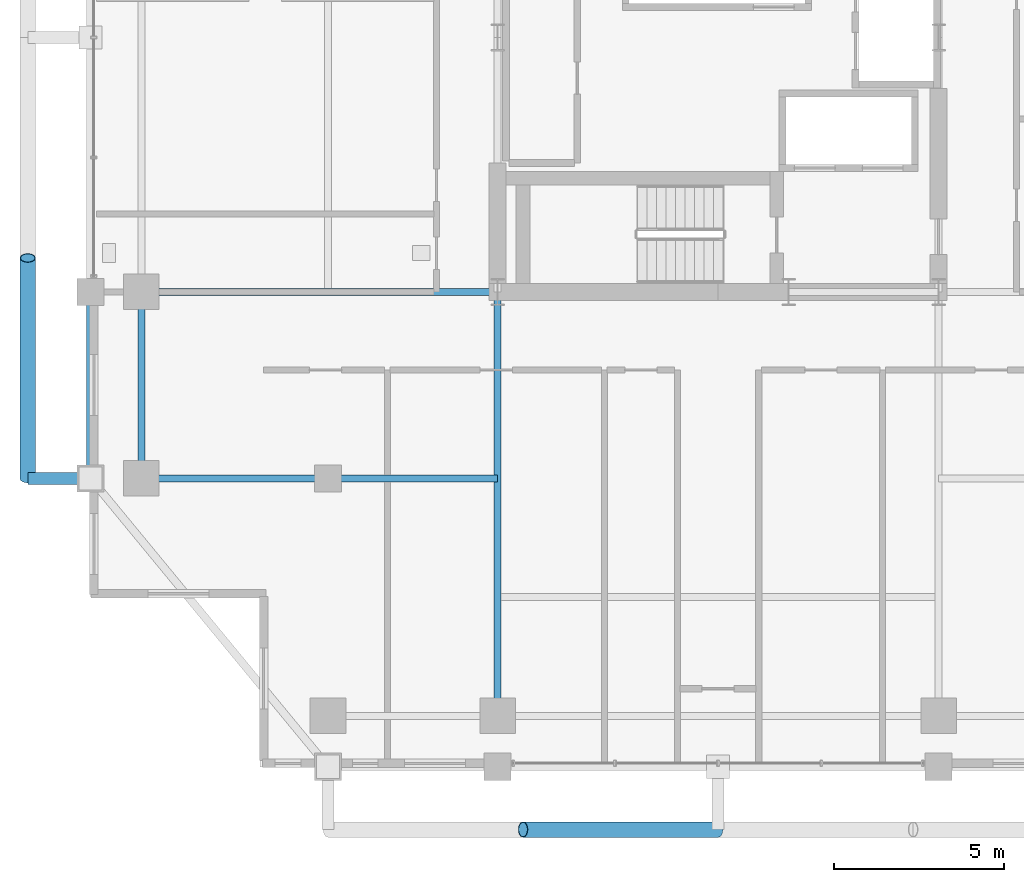
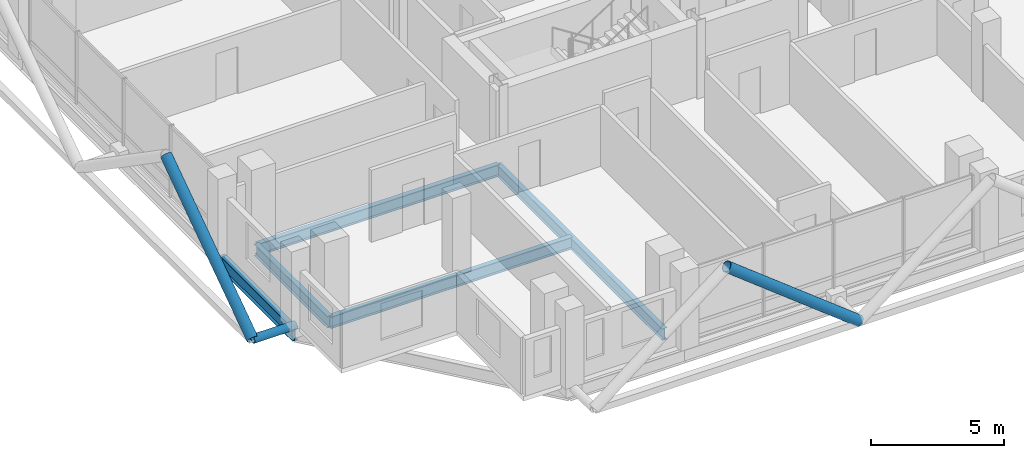
# One storey, part 3 of 25: 6 beams, 3 members.
"""IFC4 building model written with IfcOpenShell, lengths in metres."""

from ifc_helpers import new_model, si_unit, direction, frame, origin, origin_2d, place, context, subcontext, project, spatial, hollow_circle, i_section, extrude, material, material_profile, profile_set, type_object, element, save


model = new_model("IFC4")

# Units and contexts
model_context = context("Model", 3, precision=1e-05, world=origin(), true_north=direction((0.0, 1.0)))
body_context = subcontext(model_context, "Body", "Model", "MODEL_VIEW")
ifc_project = project(units=[si_unit("LENGTHUNIT", "METRE"), si_unit("AREAUNIT", "SQUARE_METRE"), si_unit("VOLUMEUNIT", "CUBIC_METRE"), si_unit("PLANEANGLEUNIT", "RADIAN"), si_unit("MASSUNIT", "GRAM", prefix="KILO")], contexts=[model_context])

# Site, building, storey
site_placement = place(None, origin())
site = spatial("IfcSite", under=ifc_project, at=site_placement, CompositionType="ELEMENT")
building_placement = place(site_placement, origin())
building = spatial("IfcBuilding", under=site, at=building_placement, Name="Barlavira Tower and Art Museum", CompositionType="ELEMENT")
storey_placement = place(building_placement, frame((0.0, 0.0, 208.800048828125)))
storey = spatial("IfcBuildingStorey", under=building, at=storey_placement, Name="L54", CompositionType="ELEMENT", Elevation=208.800048828125)

# Members
ifc_material = material(Name="Steel S355", Category="steel")
ifc_material_profile_1 = material_profile(ifc_material, hollow_circle(Radius=0.228515625, WallThickness=0.02001953125, at=origin_2d()), Name="CHS 457.0x20.0")
ifc_profile_set_1 = profile_set([ifc_material_profile_1], Name="Steel S355")
member_type_1 = type_object("IfcMemberType", Name="Pale-Metal Exoskeleton Diagrid Tube CHS 457x20 Steel S355", PredefinedType="BRACE", material=ifc_profile_set_1)
member_1_placement = place(storey_placement, frame((0.0, -23.35009765625, -0.1201171875), z_axis=(-0.787505001008, 0.0, 0.616308261658), x_axis=(0.0, -1.0, 0.0)))
element("IfcMember", 1, at=member_1_placement, inside=storey, type_object=member_type_1, Name="L54 Exoskeleton Diagrid Tube S", PredefinedType="BRACE", context=body_context, shape_type="SweptSolid", body=[
    extrude(hollow_circle(Radius=0.228515625, WallThickness=0.02001953125, at=origin_2d()), origin(), (0.0, 0.0, 1.0), 7.301513671875),
])
member_2_placement = place(storey_placement, frame((-20.35009765625, -13.0, -0.1201171875), z_axis=(0.0, 0.822192191644, 0.56920997883), x_axis=(-1.0, 0.0, 0.0)))
element("IfcMember", 2, at=member_2_placement, inside=storey, type_object=member_type_1, Name="L54 Exoskeleton Diagrid Tube W", PredefinedType="BRACE", context=body_context, shape_type="SweptSolid", body=[
    extrude(hollow_circle(Radius=0.228515625, WallThickness=0.02001953125, at=origin_2d()), origin(), (0.0, 0.0, 1.0), 7.90576171875),
])
ifc_material_profile_2 = material_profile(ifc_material, hollow_circle(Radius=0.177734375, WallThickness=0.01611328125, at=origin_2d()), Name="CHS 355.6x16.0")
ifc_profile_set_2 = profile_set([ifc_material_profile_2], Name="Steel S355")
member_type_2 = type_object("IfcMemberType", Name="Pale-Metal Exoskeleton Tie Strut CHS 356x16 Steel S355", PredefinedType="STRUT", material=ifc_profile_set_2)
member_3_placement = place(storey_placement, frame((-20.35009765625, -13.0, -0.1201171875), z_axis=(1.0, 0.0, 0.0), x_axis=(0.0, 1.0, 0.0)))
element("IfcMember", 3, at=member_3_placement, inside=storey, type_object=member_type_2, Name="L54 Exoskeleton Tie Strut W1", PredefinedType="STRUT", context=body_context, shape_type="SweptSolid", body=[
    extrude(hollow_circle(Radius=0.177734375, WallThickness=0.01611328125, at=origin_2d()), origin(), (0.0, 0.0, 1.0), 1.85009765625),
])

# Beams
ifc_material_profile_3 = material_profile(ifc_material, i_section(OverallWidth=0.22998046875, OverallDepth=0.616943359375, WebThickness=0.01318359375, FlangeThickness=0.022216796875, at=origin_2d()), Name="W610x140.0")
ifc_profile_set_3 = profile_set([ifc_material_profile_3], Name="Steel S355")
beam_type_1 = type_object("IfcBeamType", Name="Upper Shaft Spandrel Edge Beam W610x140 Steel S355", PredefinedType="SPANDREL", material=ifc_profile_set_3)
beam_1_placement = place(storey_placement, frame((-18.5, -13.0, -0.528564453125), z_axis=(0.0, 1.0, 0.0), x_axis=(-1.0, 0.0, 0.0)))
element("IfcBeam", 4, at=beam_1_placement, inside=storey, type_object=beam_type_1, Name="L54 Spandrel 15", PredefinedType="SPANDREL", context=body_context, shape_type="SweptSolid", body=[
    extrude(i_section(OverallWidth=0.22998046875, OverallDepth=0.616943359375, WebThickness=0.01318359375, FlangeThickness=0.022216796875, at=origin_2d()), origin(), (0.0, 0.0, 1.0), 5.5),
])
ifc_material_profile_4 = material_profile(ifc_material, i_section(OverallWidth=0.2109375, OverallDepth=0.5390625, WebThickness=0.01171875, FlangeThickness=0.018798828125, at=origin_2d()), Name="W530x109.0")
ifc_profile_set_4 = profile_set([ifc_material_profile_4], Name="Steel S355")
beam_type_2 = type_object("IfcBeamType", Name="Zone 3-4 Primary Floor Girder W530x109 Steel S355", PredefinedType="BEAM", material=ifc_profile_set_4)
beam_2_placement = place(storey_placement, frame((-17.0, -13.0, -0.489501953125), z_axis=(0.0, 1.0, 0.0), x_axis=(-1.0, 0.0, 0.0)))
element("IfcBeam", 5, at=beam_2_placement, inside=storey, type_object=beam_type_2, Name="L54 Girder M-W1", PredefinedType="BEAM", context=body_context, shape_type="SweptSolid", body=[
    extrude(i_section(OverallWidth=0.2109375, OverallDepth=0.5390625, WebThickness=0.01171875, FlangeThickness=0.018798828125, at=origin_2d()), origin(), (0.0, 0.0, 1.0), 5.5),
])
beam_3_placement = place(storey_placement, frame((-6.5, -20.0, -0.489501953125), z_axis=(0.0, 1.0, 0.0), x_axis=(-1.0, 0.0, 0.0)))
element("IfcBeam", 6, at=beam_3_placement, inside=storey, type_object=beam_type_2, Name="L54 Girder R-S1", PredefinedType="BEAM", context=body_context, shape_type="SweptSolid", body=[
    extrude(i_section(OverallWidth=0.2109375, OverallDepth=0.5390625, WebThickness=0.01171875, FlangeThickness=0.018798828125, at=origin_2d()), origin(), (0.0, 0.0, 1.0), 12.5),
])
beam_4_placement = place(storey_placement, frame((-17.0, -7.5, -0.489501953125), z_axis=(1.0, 0.0, 0.0), x_axis=(0.0, 1.0, 0.0)))
element("IfcBeam", 7, at=beam_4_placement, inside=storey, type_object=beam_type_2, Name="L54 Girder R-W1", PredefinedType="BEAM", context=body_context, shape_type="SweptSolid", body=[
    extrude(i_section(OverallWidth=0.2109375, OverallDepth=0.5390625, WebThickness=0.01171875, FlangeThickness=0.018798828125, at=origin_2d()), origin(), (0.0, 0.0, 1.0), 10.5),
])
beam_5_placement = place(storey_placement, frame((-17.0, -13.0, -0.489501953125), z_axis=(1.0, 0.0, 0.0), x_axis=(0.0, 1.0, 0.0)))
element("IfcBeam", 8, at=beam_5_placement, inside=storey, type_object=beam_type_2, Name="L54 Girder I-S1", PredefinedType="BEAM", context=body_context, shape_type="SweptSolid", body=[
    extrude(i_section(OverallWidth=0.2109375, OverallDepth=0.5390625, WebThickness=0.01171875, FlangeThickness=0.018798828125, at=origin_2d()), origin(), (0.0, 0.0, 1.0), 5.5),
])
beam_6_placement = place(storey_placement, frame((-11.5, -13.0, -0.489501953125), z_axis=(1.0, 0.0, 0.0), x_axis=(0.0, 1.0, 0.0)))
element("IfcBeam", 9, at=beam_6_placement, inside=storey, type_object=beam_type_2, Name="L54 Girder I-S2", PredefinedType="BEAM", context=body_context, shape_type="SweptSolid", body=[
    extrude(i_section(OverallWidth=0.2109375, OverallDepth=0.5390625, WebThickness=0.01171875, FlangeThickness=0.018798828125, at=origin_2d()), origin(), (0.0, 0.0, 1.0), 5.0),
])

save(model, "model.ifc")
